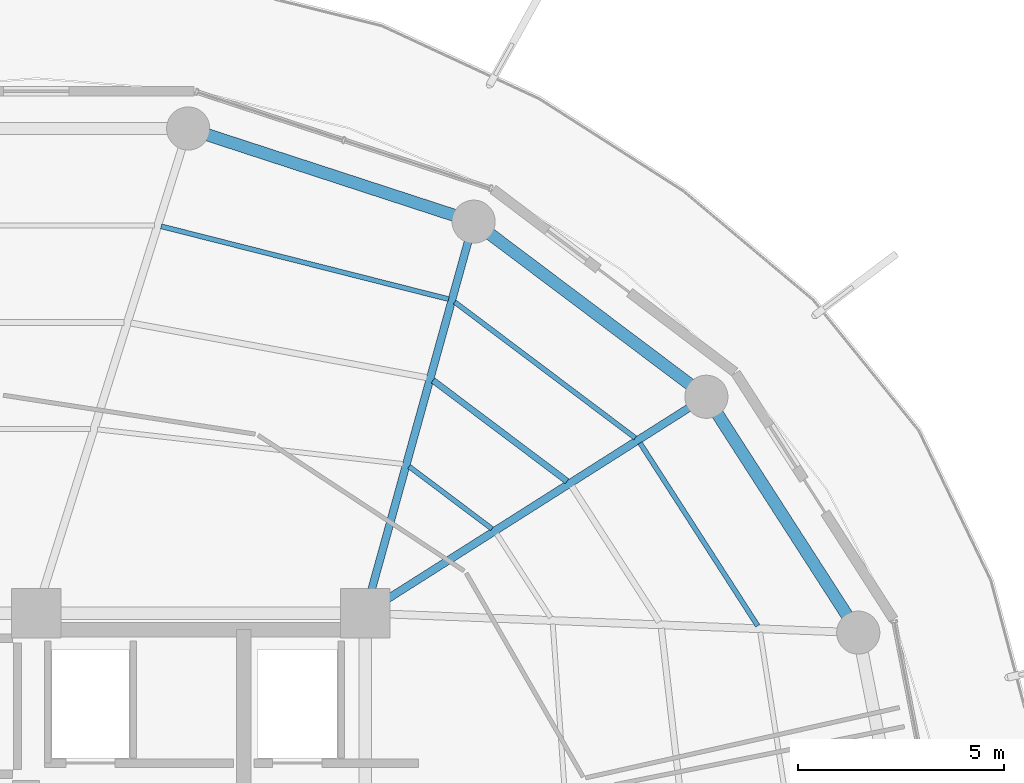
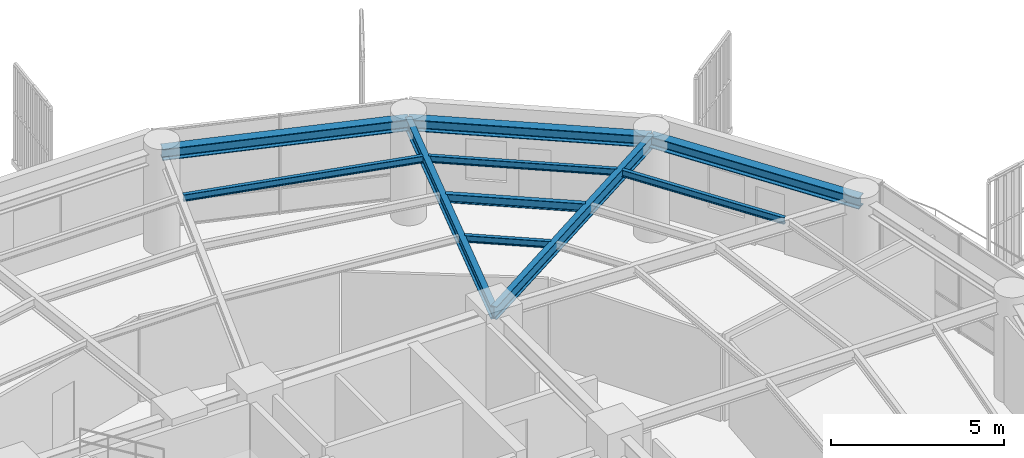
# One storey, part 21 of 31: 10 beams.
"""IFC4 building model written with IfcOpenShell, lengths in metres."""

from ifc_helpers import new_model, si_unit, direction, frame, origin, origin_2d, place, context, subcontext, project, spatial, i_section, extrude, material, material_profile, profile_set, type_object, element, save


model = new_model("IFC4")

# Units and contexts
model_context = context("Model", 3, precision=1e-05, world=origin(), true_north=direction((0.0, 1.0)))
body_context = subcontext(model_context, "Body", "Model", "MODEL_VIEW")
ifc_project = project(units=[si_unit("LENGTHUNIT", "METRE"), si_unit("AREAUNIT", "SQUARE_METRE"), si_unit("VOLUMEUNIT", "CUBIC_METRE"), si_unit("PLANEANGLEUNIT", "RADIAN"), si_unit("MASSUNIT", "GRAM", prefix="KILO")], contexts=[model_context])

# Site, building, storey
site_placement = place(None, origin())
site = spatial("IfcSite", under=ifc_project, at=site_placement, CompositionType="ELEMENT")
building_placement = place(site_placement, origin())
building = spatial("IfcBuilding", under=site, at=building_placement, Name="Kelanora Arch Commons", CompositionType="ELEMENT")
storey_placement = place(building_placement, frame((0.0, 0.0, 200.699951171875)))
storey = spatial("IfcBuildingStorey", under=building, at=storey_placement, Name="L51", CompositionType="ELEMENT", Elevation=200.699951171875)

# Beams
ifc_material = material(Name="Steel S355", Category="steel")
ifc_material_profile_1 = material_profile(ifc_material, i_section(OverallWidth=0.14990234375, OverallDepth=0.300048828125, WebThickness=0.007080078125, FlangeThickness=0.0107421875, FilletRadius=0.014892578125, at=origin_2d()), Name="IPE300")
ifc_profile_set_1 = profile_set([ifc_material_profile_1], Name="Steel S355")
beam_type_1 = type_object("IfcBeamType", Name="BM-JST-01", PredefinedType="JOIST", material=ifc_profile_set_1)
beam_1_placement = place(storey_placement, frame((86.912841796875, 68.209716796875, 3.340087890625), z_axis=(-0.799101708656, 0.601195857624, 0.0), x_axis=(-0.601195857624, -0.799101708656, 0.0)))
element("IfcBeam", 1, at=beam_1_placement, inside=storey, type_object=beam_type_1, Name="Secondary Chord Joist BJB-04 L51", PredefinedType="JOIST", context=body_context, shape_type="SweptSolid", body=[
    extrude(i_section(OverallWidth=0.14990234375, OverallDepth=0.300048828125, WebThickness=0.007080078125, FlangeThickness=0.0107421875, FilletRadius=0.014892578125, at=origin_2d()), origin(), (0.0, 0.0, 1.0), 4.080810546875),
])
ifc_material_profile_2 = material_profile(ifc_material, i_section(OverallWidth=0.1201171875, OverallDepth=0.239990234375, WebThickness=0.006103515625, FlangeThickness=0.009765625, FilletRadius=0.014892578125, at=origin_2d()), Name="IPE240")
ifc_profile_set_2 = profile_set([ifc_material_profile_2], Name="Steel S355")
beam_type_2 = type_object("IfcBeamType", Name="BM-JST-02", PredefinedType="JOIST", material=ifc_profile_set_2)
beam_2_placement = place(storey_placement, frame((91.55126953125, 64.69189453125, 3.3701171875), z_axis=(-0.541382492679, 0.840776424872, 0.0), x_axis=(-0.840776424872, -0.541382492679, 0.0)))
element("IfcBeam", 2, at=beam_2_placement, inside=storey, type_object=beam_type_2, Name="Secondary Chord Joist BJC-02 L51", PredefinedType="JOIST", context=body_context, shape_type="SweptSolid", body=[
    extrude(i_section(OverallWidth=0.1201171875, OverallDepth=0.239990234375, WebThickness=0.006103515625, FlangeThickness=0.009765625, FilletRadius=0.014892578125, at=origin_2d()), origin(), (0.0, 0.0, 1.0), 5.29052734375),
])
beam_3_placement = place(storey_placement, frame((85.086669921875, 67.051513671875, 3.3701171875), z_axis=(-0.79911638933, 0.601176343766, 0.0), x_axis=(-0.601176343766, -0.79911638933, 0.0)))
element("IfcBeam", 3, at=beam_3_placement, inside=storey, type_object=beam_type_2, Name="Secondary Chord Joist BJA-04 L51", PredefinedType="JOIST", context=body_context, shape_type="SweptSolid", body=[
    extrude(i_section(OverallWidth=0.1201171875, OverallDepth=0.239990234375, WebThickness=0.006103515625, FlangeThickness=0.009765625, FilletRadius=0.014892578125, at=origin_2d()), origin(), (0.0, 0.0, 1.0), 2.522216796875),
])
beam_4_placement = place(storey_placement, frame((88.5732421875, 69.2626953125, 3.3701171875), z_axis=(-0.799109197935, 0.601185902842, 0.0), x_axis=(-0.601185902842, -0.799109197935, 0.0)))
element("IfcBeam", 4, at=beam_4_placement, inside=storey, type_object=beam_type_2, Name="Secondary Chord Joist BJC-04 L51", PredefinedType="JOIST", context=body_context, shape_type="SweptSolid", body=[
    extrude(i_section(OverallWidth=0.1201171875, OverallDepth=0.239990234375, WebThickness=0.006103515625, FlangeThickness=0.009765625, FilletRadius=0.014892578125, at=origin_2d()), origin(), (0.0, 0.0, 1.0), 5.497802734375),
])
beam_5_placement = place(storey_placement, frame((84.029541015625, 72.639892578125, 3.3701171875), z_axis=(-0.969370989998, 0.245601066263, 0.0), x_axis=(-0.245601066263, -0.969370989998, 0.0)))
element("IfcBeam", 5, at=beam_5_placement, inside=storey, type_object=beam_type_2, Name="Secondary Chord Joist BJC-06 L51", PredefinedType="JOIST", context=body_context, shape_type="SweptSolid", body=[
    extrude(i_section(OverallWidth=0.1201171875, OverallDepth=0.239990234375, WebThickness=0.006103515625, FlangeThickness=0.009765625, FilletRadius=0.014892578125, at=origin_2d()), origin(), (0.0, 0.0, 1.0), 7.2119140625),
])
ifc_material_profile_3 = material_profile(ifc_material, i_section(OverallWidth=0.18994140625, OverallDepth=0.449951171875, WebThickness=0.009521484375, FlangeThickness=0.0146484375, FilletRadius=0.02099609375, at=origin_2d()), Name="IPE450")
ifc_profile_set_3 = profile_set([ifc_material_profile_3], Name="Steel S355")
beam_type_3 = type_object("IfcBeamType", Name="BM-RAD-Z4", PredefinedType="BEAM", material=ifc_profile_set_3)
beam_6_placement = place(storey_placement, frame((82.0, 65.0, 3.26513671875), z_axis=(0.844507208607, 0.535544185489, 0.0), x_axis=(-0.535544185489, 0.844507208607, 0.0)))
element("IfcBeam", 6, at=beam_6_placement, inside=storey, type_object=beam_type_3, Name="Radial Floor Girder BR-04 L51", PredefinedType="BEAM", context=body_context, shape_type="SweptSolid", body=[
    extrude(i_section(OverallWidth=0.18994140625, OverallDepth=0.449951171875, WebThickness=0.009521484375, FlangeThickness=0.0146484375, FilletRadius=0.02099609375, at=origin_2d()), origin(), (0.0, 0.0, 1.0), 9.830078125),
])
beam_7_placement = place(storey_placement, frame((82.0, 65.0, 3.26513671875), z_axis=(0.267120164296, 0.963663228429, 0.0), x_axis=(-0.963663228429, 0.267120164296, 0.0)))
element("IfcBeam", 7, at=beam_7_placement, inside=storey, type_object=beam_type_3, Name="Radial Floor Girder BR-06 L51", PredefinedType="BEAM", context=body_context, shape_type="SweptSolid", body=[
    extrude(i_section(OverallWidth=0.18994140625, OverallDepth=0.449951171875, WebThickness=0.009521484375, FlangeThickness=0.0146484375, FilletRadius=0.02099609375, at=origin_2d()), origin(), (0.0, 0.0, 1.0), 9.8828125),
])
ifc_material_profile_4 = material_profile(ifc_material, i_section(OverallWidth=0.300048828125, OverallDepth=0.39990234375, WebThickness=0.013427734375, FlangeThickness=0.02392578125, FilletRadius=0.027099609375, at=origin_2d()), Name="HEB400")
ifc_profile_set_4 = profile_set([ifc_material_profile_4], Name="Steel S355")
beam_type_4 = type_object("IfcBeamType", Name="BM-SPN-Z4", PredefinedType="SPANDREL", material=ifc_profile_set_4)
beam_8_placement = place(storey_placement, frame((93.99658203125, 64.525634765625, 3.2900390625), z_axis=(-0.541364878868, 0.840787766281, 0.0), x_axis=(-0.840787766281, -0.541364878868, 0.0)))
element("IfcBeam", 8, at=beam_8_placement, inside=storey, type_object=beam_type_4, Name="Perimeter Spandrel Beam BS-02 L51", PredefinedType="SPANDREL", context=body_context, shape_type="SweptSolid", body=[
    extrude(i_section(OverallWidth=0.300048828125, OverallDepth=0.39990234375, WebThickness=0.013427734375, FlangeThickness=0.02392578125, FilletRadius=0.027099609375, at=origin_2d()), origin(), (0.0, 0.0, 1.0), 6.825439453125),
])
beam_9_placement = place(storey_placement, frame((90.301513671875, 70.264404296875, 3.2900390625), z_axis=(-0.799114211715, 0.60117923836, 0.0), x_axis=(-0.60117923836, -0.799114211715, 0.0)))
element("IfcBeam", 9, at=beam_9_placement, inside=storey, type_object=beam_type_4, Name="Perimeter Spandrel Beam BS-04 L51", PredefinedType="SPANDREL", context=body_context, shape_type="SweptSolid", body=[
    extrude(i_section(OverallWidth=0.300048828125, OverallDepth=0.39990234375, WebThickness=0.013427734375, FlangeThickness=0.02392578125, FilletRadius=0.027099609375, at=origin_2d()), origin(), (0.0, 0.0, 1.0), 7.0849609375),
])
beam_10_placement = place(storey_placement, frame((84.639892578125, 74.523681640625, 3.2900390625), z_axis=(-0.950656361143, 0.310245842872, 0.0), x_axis=(-0.310245842872, -0.950656361143, 0.0)))
element("IfcBeam", 10, at=beam_10_placement, inside=storey, type_object=beam_type_4, Name="Perimeter Spandrel Beam BS-06 L51", PredefinedType="SPANDREL", context=body_context, shape_type="SweptSolid", body=[
    extrude(i_section(OverallWidth=0.300048828125, OverallDepth=0.39990234375, WebThickness=0.013427734375, FlangeThickness=0.02392578125, FilletRadius=0.027099609375, at=origin_2d()), origin(), (0.0, 0.0, 1.0), 7.304931640625),
])

save(model, "model.ifc")
